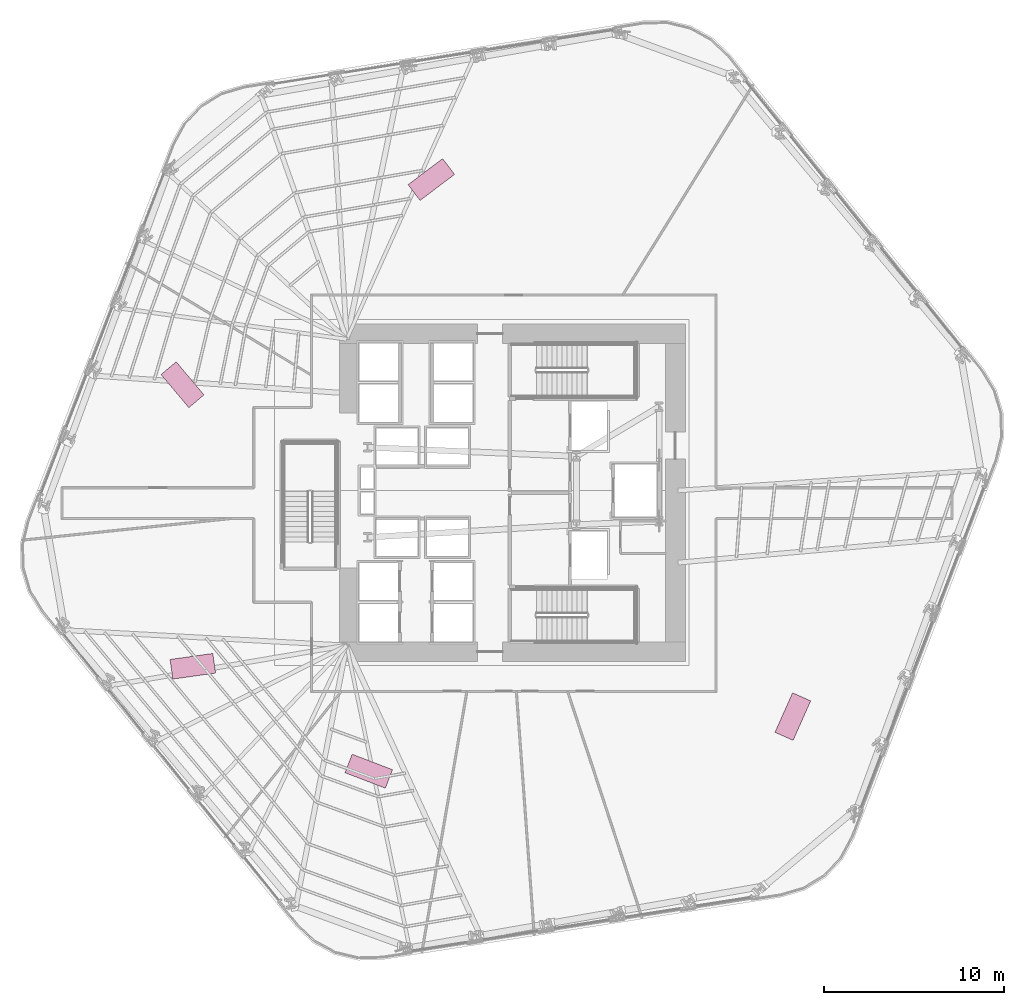
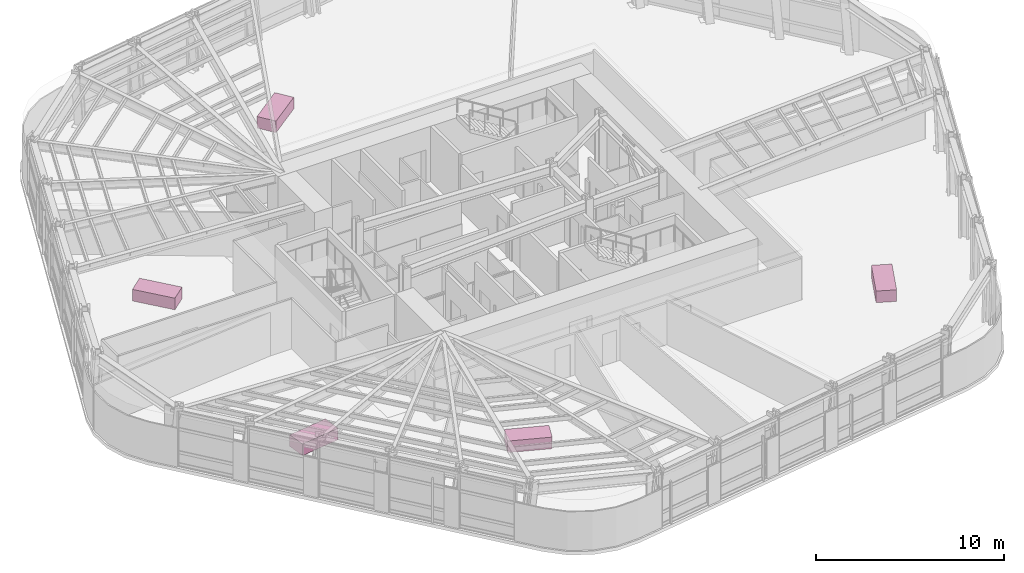
# One storey, part 16 of 16: 5 furniture elements.
"""IFC4 building model written with IfcOpenShell, lengths in metres."""

from ifc_helpers import new_model, si_unit, direction, frame, origin, origin_2d, place, context, subcontext, project, spatial, rectangle, extrude, material, type_object, element, save


model = new_model("IFC4")

# Units and contexts
model_context = context("Model", 3, precision=1e-05, world=origin(), true_north=direction((0.0, 1.0)))
body_context = subcontext(model_context, "Body", "Model", "MODEL_VIEW")
ifc_project = project(units=[si_unit("LENGTHUNIT", "METRE"), si_unit("AREAUNIT", "SQUARE_METRE"), si_unit("VOLUMEUNIT", "CUBIC_METRE"), si_unit("PLANEANGLEUNIT", "RADIAN"), si_unit("MASSUNIT", "GRAM", prefix="KILO")], contexts=[model_context])

# Site, building, storey
site_placement = place(None, origin())
site = spatial("IfcSite", under=ifc_project, at=site_placement, CompositionType="ELEMENT")
building_placement = place(site_placement, origin())
building = spatial("IfcBuilding", under=site, at=building_placement, Name="Valkerne Bourse Tower", CompositionType="ELEMENT")
storey_placement = place(building_placement, frame((0.0, 0.0, 62.0)))
storey = spatial("IfcBuildingStorey", under=building, at=storey_placement, Name="L15", CompositionType="ELEMENT", Elevation=62.0)

# Furniture
ifc_material = material(Name="Architectural White Oak Timber", Category="wood")
furniture_type = type_object("IfcFurnitureType", Name="FURN-DESK-2400", AssemblyPlace="NOTDEFINED", PredefinedType="DESK", material=ifc_material)
for number, where, z_axis, x_axis, name in (
    (1, (28.485107421875, 32.875, 0.044921875), (0.0, 0.0, 1.0), (-0.642787609687, 0.766044443119, 0.0), "L15 Suite Worktable 05"),
    (2, (38.823974609375, 11.41796875, 0.044921875), (0.0, 0.0, 1.0), (-0.933580426497, 0.358367949545, 0.0), "L15 Suite Worktable 06"),
    (3, (29.056884765625, 17.243896484375, 0.044921875), (0.0, 0.0, 1.0), (0.990268068742, 0.13917310096, 0.0), "L15 Suite Worktable 07"),
    (4, (42.299072265625, 44.26611328125, 0.044921875), (0.0, 0.0, 1.0), (0.798635510047, 0.601815023152, 0.0), "L15 Suite Worktable 08"),
    (5, (62.367919921875, 14.450927734375, 0.044921875), (0.0, 0.0, 1.0), (0.406736643076, 0.913545457643, 0.0), "L15 Suite Worktable 09"),
):
    element("IfcFurniture", number, at=place(storey_placement, frame(where, z_axis=z_axis, x_axis=x_axis)), inside=storey, type_object=furniture_type, Name=name, PredefinedType="DESK", context=body_context, shape_type="SweptSolid", body=[
        extrude(rectangle(XDim=2.39990234375, YDim=1.10009765625, at=origin_2d()), origin(), (0.0, 0.0, 1.0), 0.75),
    ])

save(model, "model.ifc")
